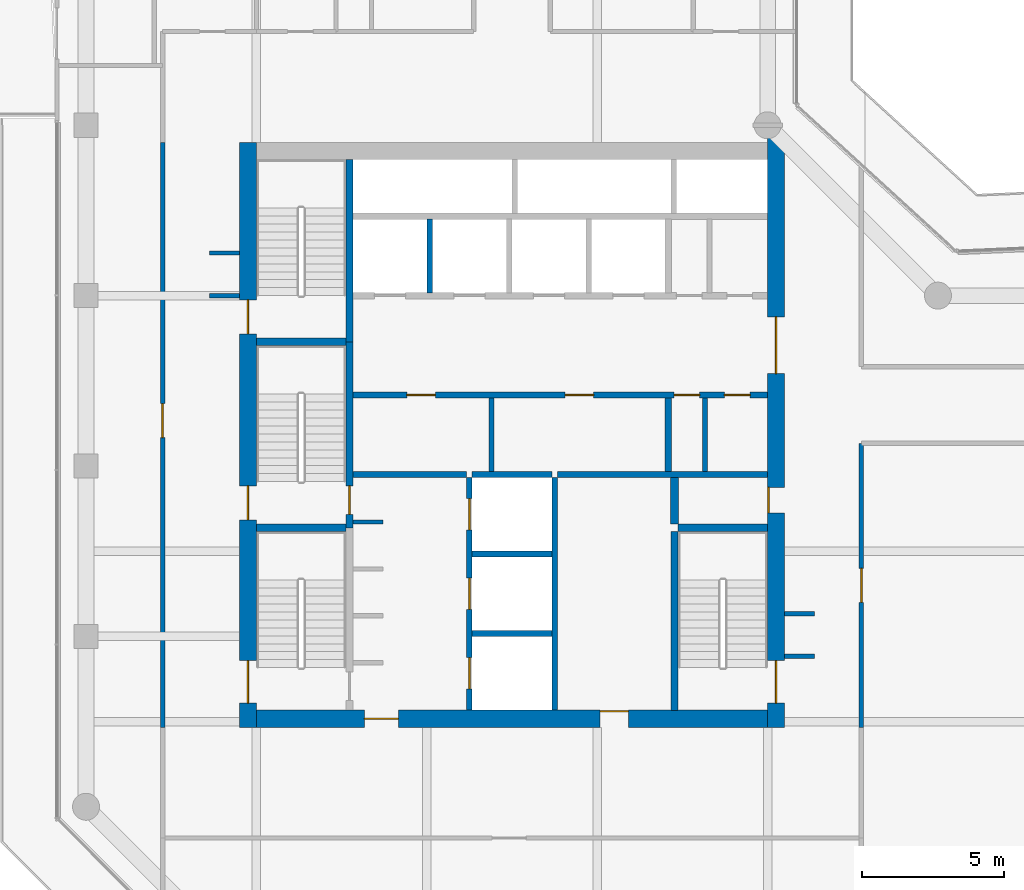
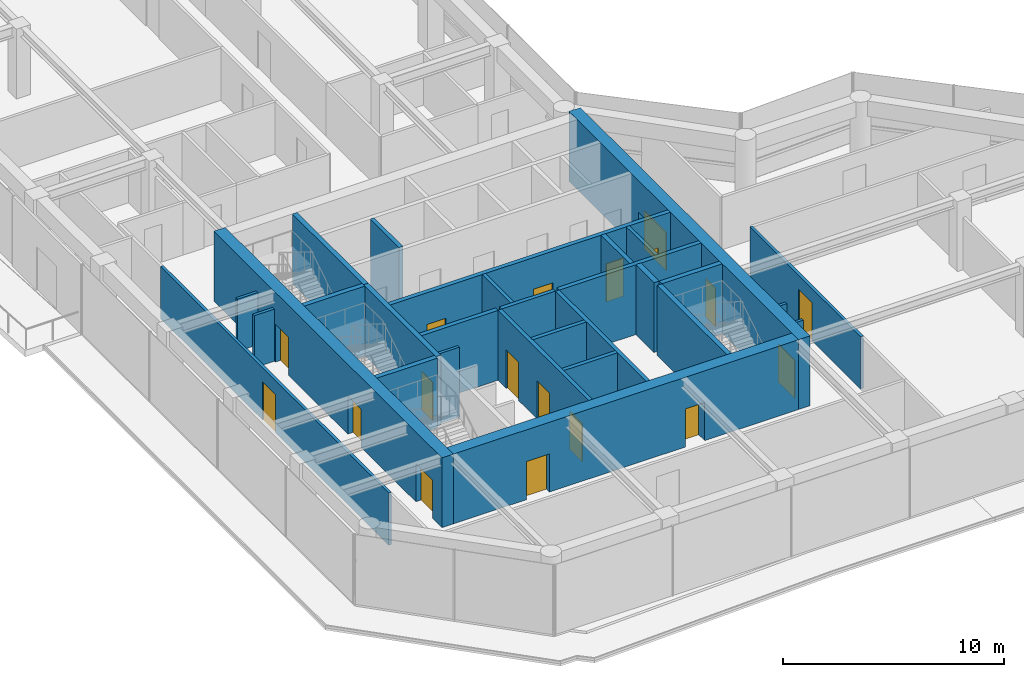
# One storey, part 17 of 21: 29 walls, 18 doors, 18 openings.
"""IFC4 building model written with IfcOpenShell, lengths in metres."""

from ifc_helpers import new_model, si_unit, direction, frame, frame_2d, origin, place, context, subcontext, project, spatial, rectangle, extrude, material, layer, layer_set, type_object, element, fill, save


model = new_model("IFC4")

# Units and contexts
model_context = context("Model", 3, precision=1e-05, world=origin(), true_north=direction((0.0, 1.0)))
body_context = subcontext(model_context, "Body", "Model", "MODEL_VIEW")
ifc_project = project(units=[si_unit("LENGTHUNIT", "METRE"), si_unit("AREAUNIT", "SQUARE_METRE"), si_unit("VOLUMEUNIT", "CUBIC_METRE"), si_unit("PLANEANGLEUNIT", "RADIAN"), si_unit("MASSUNIT", "GRAM", prefix="KILO")], contexts=[model_context])

# Site, building, storey
site_placement = place(None, origin())
site = spatial("IfcSite", under=ifc_project, at=site_placement, CompositionType="ELEMENT")
building_placement = place(site_placement, origin())
building = spatial("IfcBuilding", under=site, at=building_placement, Name="Welwitschia Terrace Campus", CompositionType="ELEMENT")
storey_placement = place(building_placement, frame((0.0, 0.0, 180.199951171875)))
storey = spatial("IfcBuildingStorey", under=building, at=storey_placement, Name="L40", CompositionType="ELEMENT", Elevation=180.199951171875)

# Walls
ifc_material_1 = material(Name="Concrete C32/40", Category="concrete")
ifc_layer_1 = layer(ifc_material_1, 0.175048828125)
ifc_layer_set_1 = layer_set([ifc_layer_1], Name="Concrete C32/40")
wall_type_1 = type_object("IfcWallType", Name="Core partition 175 Concrete C32/40", PredefinedType="PARTITIONING", material=ifc_layer_set_1)
for number, where, z_axis, x_axis, name in (
    (1, (14.27490234375, 13.800048828125, 0.0), (0.0, 0.0, 1.0), (0.0, 1.0, 0.0), "Core partition"),
    (2, (21.7900390625, 13.800048828125, 0.0), (0.0, 0.0, 1.0), (0.0, 1.0, 0.0), "Core partition"),
):
    element("IfcWall", number, at=place(storey_placement, frame(where, z_axis=z_axis, x_axis=x_axis)), inside=storey, type_object=wall_type_1, Name=name, PredefinedType="PARTITIONING", context=body_context, shape_type="SweptSolid", body=[
        extrude(rectangle(XDim=2.599853515625, YDim=0.175048828125, at=frame_2d((1.2998046875, 0.0))), origin(), (0.0, 0.0, 1.0), 3.85009765625),
    ])
ifc_material_2 = material(Name="Concrete C32/40", Category="concrete")
ifc_layer_2 = layer(ifc_material_2, 0.22509765625)
ifc_layer_set_2 = layer_set([ifc_layer_2], Name="Concrete C32/40")
wall_type_2 = type_object("IfcWallType", Name="Core partition 225 Concrete C32/40", PredefinedType="PARTITIONING", material=ifc_layer_set_2)
wall_1_placement = place(storey_placement, frame((9.39990234375, 13.699951171875, 0.0), z_axis=(0.0, 0.0, 1.0), x_axis=(1.0, 0.0, 0.0)))
element("IfcWall", 3, at=wall_1_placement, inside=storey, type_object=wall_type_2, Name="Core partition", PredefinedType="PARTITIONING", context=body_context, shape_type="SweptSolid", body=[
    extrude(rectangle(XDim=4.0, YDim=0.22509765625, at=frame_2d((2.0, 0.0))), origin(), (0.0, 0.0, 1.0), 3.85009765625),
])
wall_2_placement = place(storey_placement, frame((16.60009765625, 13.699951171875, 0.0), z_axis=(0.0, 0.0, 1.0), x_axis=(1.0, 0.0, 0.0)))
element("IfcWall", 4, at=wall_2_placement, inside=storey, type_object=wall_type_2, Name="Core partition", PredefinedType="PARTITIONING", context=body_context, shape_type="SweptSolid", body=[
    extrude(rectangle(XDim=7.39990234375, YDim=0.22509765625, at=frame_2d((3.699951171875, 0.0))), origin(), (0.0, 0.0, 1.0), 3.85009765625),
])

# Wall, openings, doors
wall_3_placement = place(storey_placement, frame((9.39990234375, 16.5, 0.0), z_axis=(0.0, 0.0, 1.0), x_axis=(1.0, 0.0, 0.0)))
wall_3 = element("IfcWall", 5, at=wall_3_placement, inside=storey, type_object=wall_type_2, Name="Core partition", PredefinedType="PARTITIONING", context=body_context, shape_type="SweptSolid", body=[
    extrude(rectangle(XDim=14.60009765625, YDim=0.22509765625, at=frame_2d((7.300048828125, 0.0))), origin(), (0.0, 0.0, 1.0), 3.85009765625),
])
opening_1_placement = place(wall_3_placement, frame((1.89990234375, 0.0, 0.0)))
opening_1 = element("IfcOpeningElement", 6, at=opening_1_placement, cuts=wall_3, Name="Opening DR10", PredefinedType="OPENING", context=body_context, shape_type="SweptSolid", body=[
    extrude(rectangle(XDim=1.0, YDim=2.10009765625, at=frame_2d((0.5, 1.050048828125))), frame((0.0, 0.12255859375, 0.0), z_axis=(0.0, -1.0, 0.0), x_axis=(1.0, 0.0, 0.0)), (0.0, 0.0, 1.0), 0.2451171875),
])
opening_2_placement = place(wall_3_placement, frame((7.47509765625, 0.0, 0.0)))
opening_2 = element("IfcOpeningElement", 7, at=opening_2_placement, cuts=wall_3, Name="Opening DR10", PredefinedType="OPENING", context=body_context, shape_type="SweptSolid", body=[
    extrude(rectangle(XDim=1.0, YDim=2.10009765625, at=frame_2d((0.5, 1.050048828125))), frame((0.0, 0.12255859375, 0.0), z_axis=(0.0, -1.0, 0.0), x_axis=(1.0, 0.0, 0.0)), (0.0, 0.0, 1.0), 0.2451171875),
])
opening_3_placement = place(wall_3_placement, frame((11.3076171875, 0.0, 0.0)))
opening_3 = element("IfcOpeningElement", 8, at=opening_3_placement, cuts=wall_3, Name="Opening DR09", PredefinedType="OPENING", context=body_context, shape_type="SweptSolid", body=[
    extrude(rectangle(XDim=0.89990234375, YDim=2.10009765625, at=frame_2d((0.449951171875, 1.050048828125))), frame((0.0, 0.12255859375, 0.0), z_axis=(0.0, -1.0, 0.0), x_axis=(1.0, 0.0, 0.0)), (0.0, 0.0, 1.0), 0.2451171875),
])
opening_4_placement = place(wall_3_placement, frame((13.08251953125, 0.0, 0.0)))
opening_4 = element("IfcOpeningElement", 9, at=opening_4_placement, cuts=wall_3, Name="Opening DR09", PredefinedType="OPENING", context=body_context, shape_type="SweptSolid", body=[
    extrude(rectangle(XDim=0.89990234375, YDim=2.10009765625, at=frame_2d((0.449951171875, 1.050048828125))), frame((0.0, 0.12255859375, 0.0), z_axis=(0.0, -1.0, 0.0), x_axis=(1.0, 0.0, 0.0)), (0.0, 0.0, 1.0), 0.2451171875),
])
ifc_material_3 = material(Name="Steel S275", Category="steel")
door_type_1 = type_object("IfcDoorType", Name="Core door DR09", OperationType="SINGLE_SWING_LEFT", PredefinedType="DOOR", material=ifc_material_3)
door_1_placement = place(opening_3_placement, origin())
door_1 = element("IfcDoor", 10, at=door_1_placement, inside=storey, type_object=door_type_1, Name="Door EL1-D", OperationType="SINGLE_SWING_RIGHT", OverallHeight=2.10009765625, OverallWidth=0.89990234375, PredefinedType="DOOR", context=body_context, shape_type="SweptSolid", body=[
    extrude(rectangle(XDim=0.89990234375, YDim=2.10009765625, at=frame_2d((0.449951171875, 1.050048828125))), frame((0.0, 0.02490234375, 0.0), z_axis=(0.0, -1.0, 0.0), x_axis=(1.0, 0.0, 0.0)), (0.0, 0.0, 1.0), 0.050048828125),
])
fill(opening_3, door_1)
door_2_placement = place(opening_4_placement, origin())
door_2 = element("IfcDoor", 11, at=door_2_placement, inside=storey, type_object=door_type_1, Name="Door EL2-D", OperationType="SINGLE_SWING_RIGHT", OverallHeight=2.10009765625, OverallWidth=0.89990234375, PredefinedType="DOOR", context=body_context, shape_type="SweptSolid", body=[
    extrude(rectangle(XDim=0.89990234375, YDim=2.10009765625, at=frame_2d((0.449951171875, 1.050048828125))), frame((0.0, 0.02490234375, 0.0), z_axis=(0.0, -1.0, 0.0), x_axis=(1.0, 0.0, 0.0)), (0.0, 0.0, 1.0), 0.050048828125),
])
fill(opening_4, door_2)
ifc_material_4 = material(Name="Steel S275", Category="steel")
door_type_2 = type_object("IfcDoorType", Name="Core door DR10", OperationType="SINGLE_SWING_LEFT", PredefinedType="DOOR", material=ifc_material_4)
door_3_placement = place(opening_1_placement, origin())
door_3 = element("IfcDoor", 12, at=door_3_placement, inside=storey, type_object=door_type_2, Name="Door BAYL1-D", OperationType="SINGLE_SWING_LEFT", OverallHeight=2.10009765625, OverallWidth=1.0, PredefinedType="DOOR", context=body_context, shape_type="SweptSolid", body=[
    extrude(rectangle(XDim=1.0, YDim=2.10009765625, at=frame_2d((0.5, 1.050048828125))), frame((0.0, 0.02490234375, 0.0), z_axis=(0.0, -1.0, 0.0), x_axis=(1.0, 0.0, 0.0)), (0.0, 0.0, 1.0), 0.050048828125),
])
fill(opening_1, door_3)
door_4_placement = place(opening_2_placement, origin())
door_4 = element("IfcDoor", 13, at=door_4_placement, inside=storey, type_object=door_type_2, Name="Door BAYL2-D", OperationType="SINGLE_SWING_RIGHT", OverallHeight=2.10009765625, OverallWidth=1.0, PredefinedType="DOOR", context=body_context, shape_type="SweptSolid", body=[
    extrude(rectangle(XDim=1.0, YDim=2.10009765625, at=frame_2d((0.5, 1.050048828125))), frame((0.0, 0.02490234375, 0.0), z_axis=(0.0, -1.0, 0.0), x_axis=(1.0, 0.0, 0.0)), (0.0, 0.0, 1.0), 0.050048828125),
])
fill(opening_2, door_4)

# Walls
wall_4_placement = place(storey_placement, frame((20.5, 13.800048828125, 0.0), z_axis=(0.0, 0.0, 1.0), x_axis=(0.0, 1.0, 0.0)))
element("IfcWall", 14, at=wall_4_placement, inside=storey, type_object=wall_type_2, Name="Core partition", PredefinedType="PARTITIONING", context=body_context, shape_type="SweptSolid", body=[
    extrude(rectangle(XDim=2.599853515625, YDim=0.22509765625, at=frame_2d((1.2998046875, 0.0))), origin(), (0.0, 0.0, 1.0), 3.85009765625),
])
ifc_material_5 = material(Name="Concrete C32/40", Category="concrete")
ifc_layer_3 = layer(ifc_material_5, 0.27490234375)
ifc_layer_set_3 = layer_set([ifc_layer_3], Name="Concrete C32/40")
wall_type_3 = type_object("IfcWallType", Name="Core partition 275 Concrete C32/40", PredefinedType="PARTITIONING", material=ifc_layer_set_3)
wall_5_placement = place(storey_placement, frame((20.72509765625, 11.949951171875, 0.0), z_axis=(0.0, 0.0, 1.0), x_axis=(0.0, 1.0, 0.0)))
element("IfcWall", 15, at=wall_5_placement, inside=storey, type_object=wall_type_3, Name="Core partition", PredefinedType="PARTITIONING", context=body_context, shape_type="SweptSolid", body=[
    extrude(rectangle(XDim=1.650146484375, YDim=0.27490234375, at=frame_2d((0.8251953125, 0.0))), origin(), (0.0, 0.0, 1.0), 3.85009765625),
])
ifc_material_6 = material(Name="Concrete C50/60", Category="concrete")
ifc_layer_4 = layer(ifc_material_6, 0.14990234375)
ifc_layer_set_4 = layer_set([ifc_layer_4], Name="Concrete C50/60")
wall_type_4 = type_object("IfcWallType", Name="Core wall 150 Concrete C50/60", PredefinedType="SHEAR", material=ifc_layer_set_4)
wall_6_placement = place(storey_placement, frame((9.39990234375, 12.02490234375, 0.0), z_axis=(0.0, 0.0, 1.0), x_axis=(1.0, 0.0, 0.0)))
element("IfcWall", 16, at=wall_6_placement, inside=storey, type_object=wall_type_4, Name="Core wall", PredefinedType="SHEAR", context=body_context, shape_type="SweptSolid", body=[
    extrude(rectangle(XDim=1.050048828125, YDim=0.14990234375, at=frame_2d((0.52490234375, 0.0))), origin(), (0.0, 0.0, 1.0), 3.85009765625),
])
ifc_material_7 = material(Name="Concrete C50/60", Category="concrete")
ifc_layer_5 = layer(ifc_material_7, 0.199951171875)
ifc_layer_set_5 = layer_set([ifc_layer_5], Name="Concrete C50/60")
wall_type_5 = type_object("IfcWallType", Name="Core wall 200 Concrete C50/60", PredefinedType="SHEAR", material=ifc_layer_set_5)
for number, where, z_axis, x_axis, name in (
    (17, (13.60009765625, 8.10009765625, 0.0), (0.0, 0.0, 1.0), (1.0, 0.0, 0.0), "Core wall"),
    (18, (13.60009765625, 10.89990234375, 0.0), (0.0, 0.0, 1.0), (1.0, 0.0, 0.0), "Core wall"),
    (19, (13.60009765625, 13.699951171875, 0.0), (0.0, 0.0, 1.0), (1.0, 0.0, 0.0), "Core wall"),
):
    element("IfcWall", number, at=place(storey_placement, frame(where, z_axis=z_axis, x_axis=x_axis)), inside=storey, type_object=wall_type_5, Name=name, PredefinedType="SHEAR", context=body_context, shape_type="SweptSolid", body=[
        extrude(rectangle(XDim=2.7998046875, YDim=0.199951171875, at=frame_2d((1.39990234375, 0.0))), origin(), (0.0, 0.0, 1.0), 3.85009765625),
    ])

# Wall, openings, doors
wall_7_placement = place(storey_placement, frame((13.5, 5.39990234375, 0.0), z_axis=(0.0, 0.0, 1.0), x_axis=(0.0, 1.0, 0.0)))
wall_7 = element("IfcWall", 20, at=wall_7_placement, inside=storey, type_object=wall_type_5, Name="Core wall", PredefinedType="SHEAR", context=body_context, shape_type="SweptSolid", body=[
    extrude(rectangle(XDim=8.2001953125, YDim=0.199951171875, at=frame_2d((4.10009765625, 0.0))), origin(), (0.0, 0.0, 1.0), 3.85009765625),
])
opening_5_placement = place(wall_7_placement, frame((0.75, 0.0, 0.0)))
opening_5 = element("IfcOpeningElement", 21, at=opening_5_placement, cuts=wall_7, Name="Opening LD", PredefinedType="OPENING", context=body_context, shape_type="SweptSolid", body=[
    extrude(rectangle(XDim=1.10009765625, YDim=2.10009765625, at=frame_2d((0.550048828125, 1.050048828125))), frame((0.0, 0.10986328125, 0.0), z_axis=(0.0, -1.0, 0.0), x_axis=(1.0, 0.0, 0.0)), (0.0, 0.0, 1.0), 0.219970703125),
])
opening_6_placement = place(wall_7_placement, frame((3.550048828125, 0.0, 0.0)))
opening_6 = element("IfcOpeningElement", 22, at=opening_6_placement, cuts=wall_7, Name="Opening LD", PredefinedType="OPENING", context=body_context, shape_type="SweptSolid", body=[
    extrude(rectangle(XDim=1.10009765625, YDim=2.10009765625, at=frame_2d((0.550048828125, 1.050048828125))), frame((0.0, 0.10986328125, 0.0), z_axis=(0.0, -1.0, 0.0), x_axis=(1.0, 0.0, 0.0)), (0.0, 0.0, 1.0), 0.219970703125),
])
opening_7_placement = place(wall_7_placement, frame((6.35009765625, 0.0, 0.0)))
opening_7 = element("IfcOpeningElement", 23, at=opening_7_placement, cuts=wall_7, Name="Opening LD", PredefinedType="OPENING", context=body_context, shape_type="SweptSolid", body=[
    extrude(rectangle(XDim=1.10009765625, YDim=2.10009765625, at=frame_2d((0.550048828125, 1.050048828125))), frame((0.0, 0.10986328125, 0.0), z_axis=(0.0, -1.0, 0.0), x_axis=(1.0, 0.0, 0.0)), (0.0, 0.0, 1.0), 0.219970703125),
])
ifc_material_8 = material(Name="Stainless steel 304", Category="steel")
door_type_3 = type_object("IfcDoorType", Name="Lift landing door", OperationType="DOUBLE_DOOR_SLIDING", PredefinedType="DOOR", material=ifc_material_8)
door_5_placement = place(opening_5_placement, origin())
door_5 = element("IfcDoor", 24, at=door_5_placement, inside=storey, type_object=door_type_3, Name="Landing door FF1", OperationType="DOUBLE_DOOR_SLIDING", OverallHeight=2.10009765625, OverallWidth=1.10009765625, PredefinedType="DOOR", context=body_context, shape_type="SweptSolid", body=[
    extrude(rectangle(XDim=1.10009765625, YDim=2.10009765625, at=frame_2d((0.550048828125, 1.050048828125))), frame((0.0, 0.02490234375, 0.0), z_axis=(0.0, -1.0, 0.0), x_axis=(1.0, 0.0, 0.0)), (0.0, 0.0, 1.0), 0.050048828125),
])
fill(opening_5, door_5)
door_6_placement = place(opening_6_placement, origin())
door_6 = element("IfcDoor", 25, at=door_6_placement, inside=storey, type_object=door_type_3, Name="Landing door FF2", OperationType="DOUBLE_DOOR_SLIDING", OverallHeight=2.10009765625, OverallWidth=1.10009765625, PredefinedType="DOOR", context=body_context, shape_type="SweptSolid", body=[
    extrude(rectangle(XDim=1.10009765625, YDim=2.10009765625, at=frame_2d((0.550048828125, 1.050048828125))), frame((0.0, 0.02490234375, 0.0), z_axis=(0.0, -1.0, 0.0), x_axis=(1.0, 0.0, 0.0)), (0.0, 0.0, 1.0), 0.050048828125),
])
fill(opening_6, door_6)
door_7_placement = place(opening_7_placement, origin())
door_7 = element("IfcDoor", 26, at=door_7_placement, inside=storey, type_object=door_type_3, Name="Landing door SV1", OperationType="DOUBLE_DOOR_SLIDING", OverallHeight=2.10009765625, OverallWidth=1.10009765625, PredefinedType="DOOR", context=body_context, shape_type="SweptSolid", body=[
    extrude(rectangle(XDim=1.10009765625, YDim=2.10009765625, at=frame_2d((0.550048828125, 1.050048828125))), frame((0.0, 0.02490234375, 0.0), z_axis=(0.0, -1.0, 0.0), x_axis=(1.0, 0.0, 0.0)), (0.0, 0.0, 1.0), 0.050048828125),
])
fill(opening_7, door_7)

# Walls
wall_8_placement = place(storey_placement, frame((16.5, 5.39990234375, 0.0), z_axis=(0.0, 0.0, 1.0), x_axis=(0.0, 1.0, 0.0)))
element("IfcWall", 27, at=wall_8_placement, inside=storey, type_object=wall_type_5, Name="Core wall", PredefinedType="SHEAR", context=body_context, shape_type="SweptSolid", body=[
    extrude(rectangle(XDim=8.2001953125, YDim=0.199951171875, at=frame_2d((4.10009765625, 0.0))), origin(), (0.0, 0.0, 1.0), 3.85009765625),
])
ifc_material_9 = material(Name="Concrete C50/60", Category="concrete")
ifc_layer_6 = layer(ifc_material_9, 0.25)
ifc_layer_set_6 = layer_set([ifc_layer_6], Name="Concrete C50/60")
wall_type_6 = type_object("IfcWallType", Name="Core wall 250 Concrete C50/60", PredefinedType="SHEAR", material=ifc_layer_set_6)
for number, where, z_axis, x_axis, name in (
    (28, (6.0, 11.824951171875, 0.0), (0.0, 0.0, 1.0), (1.0, 0.0, 0.0), "Core wall"),
    (29, (20.85009765625, 11.824951171875, 0.0), (0.0, 0.0, 1.0), (1.0, 0.0, 0.0), "Core wall"),
    (30, (6.0, 18.375, 0.0), (0.0, 0.0, 1.0), (1.0, 0.0, 0.0), "Core wall"),
):
    element("IfcWall", number, at=place(storey_placement, frame(where, z_axis=z_axis, x_axis=x_axis)), inside=storey, type_object=wall_type_6, Name=name, PredefinedType="SHEAR", context=body_context, shape_type="SweptSolid", body=[
        extrude(rectangle(XDim=3.14990234375, YDim=0.25, at=frame_2d((1.574951171875, 0.0))), origin(), (0.0, 0.0, 1.0), 3.85009765625),
    ])

# Wall, opening, door
wall_9_placement = place(storey_placement, frame((9.27490234375, 18.375, 0.0), z_axis=(0.0, 0.0, 1.0), x_axis=(0.0, -1.0, 0.0)))
wall_9 = element("IfcWall", 31, at=wall_9_placement, inside=storey, type_object=wall_type_6, Name="Core wall", PredefinedType="SHEAR", context=body_context, shape_type="SweptSolid", body=[
    extrude(rectangle(XDim=6.550048828125, YDim=0.25, at=frame_2d((3.27490234375, 0.0))), origin(), (0.0, 0.0, 1.0), 3.85009765625),
])
opening_8_placement = place(wall_9_placement, frame((5.074951171875, 0.0, 0.0)))
opening_8 = element("IfcOpeningElement", 32, at=opening_8_placement, cuts=wall_9, Name="Opening DS10", PredefinedType="OPENING", context=body_context, shape_type="SweptSolid", body=[
    extrude(rectangle(XDim=1.0, YDim=2.10009765625, at=frame_2d((0.5, 1.050048828125))), frame((0.0, 0.135009765625, 0.0), z_axis=(0.0, -1.0, 0.0), x_axis=(1.0, 0.0, 0.0)), (0.0, 0.0, 1.0), 0.27001953125),
])
ifc_material_10 = material(Name="Steel S275", Category="steel")
door_type_4 = type_object("IfcDoorType", Name="Core door DS10", OperationType="SINGLE_SWING_LEFT", PredefinedType="DOOR", material=ifc_material_10)
door_8_placement = place(opening_8_placement, origin())
door_8 = element("IfcDoor", 33, at=door_8_placement, inside=storey, type_object=door_type_4, Name="Door S3-FL", OperationType="SINGLE_SWING_RIGHT", OverallHeight=2.10009765625, OverallWidth=1.0, PredefinedType="DOOR", context=body_context, shape_type="SweptSolid", body=[
    extrude(rectangle(XDim=1.0, YDim=2.10009765625, at=frame_2d((0.5, 1.050048828125))), frame((0.0, 0.02490234375, 0.0), z_axis=(0.0, -1.0, 0.0), x_axis=(1.0, 0.0, 0.0)), (0.0, 0.0, 1.0), 0.050048828125),
])
fill(opening_8, door_8)

# Walls
wall_10_placement = place(storey_placement, frame((9.27490234375, 18.375, 0.0), z_axis=(0.0, 0.0, 1.0), x_axis=(0.0, 1.0, 0.0)))
element("IfcWall", 34, at=wall_10_placement, inside=storey, type_object=wall_type_6, Name="Core wall", PredefinedType="SHEAR", context=body_context, shape_type="SweptSolid", body=[
    extrude(rectangle(XDim=6.425048828125, YDim=0.25, at=frame_2d((3.21240234375, 0.0))), origin(), (0.0, 0.0, 1.0), 3.85009765625),
])
wall_11_placement = place(storey_placement, frame((20.72509765625, 5.39990234375, 0.0), z_axis=(0.0, 0.0, 1.0), x_axis=(0.0, 1.0, 0.0)))
element("IfcWall", 35, at=wall_11_placement, inside=storey, type_object=wall_type_6, Name="Core wall", PredefinedType="SHEAR", context=body_context, shape_type="SweptSolid", body=[
    extrude(rectangle(XDim=6.300048828125, YDim=0.25, at=frame_2d((3.14990234375, 0.0))), origin(), (0.0, 0.0, 1.0), 3.85009765625),
])

# Wall, openings, doors
ifc_material_11 = material(Name="Concrete C60/75", Category="concrete")
ifc_layer_7 = layer(ifc_material_11, 0.60009765625)
ifc_layer_set_7 = layer_set([ifc_layer_7], Name="Concrete C60/75")
wall_type_7 = type_object("IfcWallType", Name="Core wall 600 Concrete C60/75", PredefinedType="SHEAR", material=ifc_layer_set_7)
wall_12_placement = place(storey_placement, frame((5.699951171875, 4.800048828125, 0.0), z_axis=(0.0, 0.0, 1.0), x_axis=(0.0, 1.0, 0.0)))
wall_12 = element("IfcWall", 36, at=wall_12_placement, inside=storey, type_object=wall_type_7, Name="Core outer wall", PredefinedType="SHEAR", context=body_context, shape_type="SweptSolid", body=[
    extrude(rectangle(XDim=20.599853515625, YDim=0.60009765625, at=frame_2d((10.2998046875, 0.0))), origin(), (0.0, 0.0, 1.0), 3.85009765625),
])
opening_9_placement = place(wall_12_placement, frame((0.85009765625, 0.0, 0.0)))
opening_9 = element("IfcOpeningElement", 37, at=opening_9_placement, cuts=wall_12, Name="Opening DS15", PredefinedType="OPENING", context=body_context, shape_type="SweptSolid", body=[
    extrude(rectangle(XDim=1.5, YDim=2.10009765625, at=frame_2d((0.75, 1.050048828125))), frame((0.0, 0.31005859375, 0.0), z_axis=(0.0, -1.0, 0.0), x_axis=(1.0, 0.0, 0.0)), (0.0, 0.0, 1.0), 0.6201171875),
])
opening_10_placement = place(wall_12_placement, frame((7.300048828125, 0.0, 0.0)))
opening_10 = element("IfcOpeningElement", 38, at=opening_10_placement, cuts=wall_12, Name="Opening DS12", PredefinedType="OPENING", context=body_context, shape_type="SweptSolid", body=[
    extrude(rectangle(XDim=1.199951171875, YDim=2.10009765625, at=frame_2d((0.60009765625, 1.050048828125))), frame((0.0, 0.31005859375, 0.0), z_axis=(0.0, -1.0, 0.0), x_axis=(1.0, 0.0, 0.0)), (0.0, 0.0, 1.0), 0.6201171875),
])
opening_11_placement = place(wall_12_placement, frame((13.85009765625, 0.0, 0.0)))
opening_11 = element("IfcOpeningElement", 39, at=opening_11_placement, cuts=wall_12, Name="Opening DS12", PredefinedType="OPENING", context=body_context, shape_type="SweptSolid", body=[
    extrude(rectangle(XDim=1.199951171875, YDim=2.10009765625, at=frame_2d((0.60009765625, 1.050048828125))), frame((0.0, 0.31005859375, 0.0), z_axis=(0.0, -1.0, 0.0), x_axis=(1.0, 0.0, 0.0)), (0.0, 0.0, 1.0), 0.6201171875),
])
ifc_material_12 = material(Name="Steel S275", Category="steel")
door_type_5 = type_object("IfcDoorType", Name="Core door DS12", OperationType="SINGLE_SWING_LEFT", PredefinedType="DOOR", material=ifc_material_12)
door_9_placement = place(opening_10_placement, origin())
door_9 = element("IfcDoor", 40, at=door_9_placement, inside=storey, type_object=door_type_5, Name="Door S3-out", OperationType="SINGLE_SWING_LEFT", OverallHeight=2.10009765625, OverallWidth=1.199951171875, PredefinedType="DOOR", context=body_context, shape_type="SweptSolid", body=[
    extrude(rectangle(XDim=1.199951171875, YDim=2.10009765625, at=frame_2d((0.60009765625, 1.050048828125))), frame((0.0, 0.02490234375, 0.0), z_axis=(0.0, -1.0, 0.0), x_axis=(1.0, 0.0, 0.0)), (0.0, 0.0, 1.0), 0.050048828125),
])
fill(opening_10, door_9)
door_10_placement = place(opening_11_placement, origin())
door_10 = element("IfcDoor", 41, at=door_10_placement, inside=storey, type_object=door_type_5, Name="Door S4-out", OperationType="SINGLE_SWING_RIGHT", OverallHeight=2.10009765625, OverallWidth=1.199951171875, PredefinedType="DOOR", context=body_context, shape_type="SweptSolid", body=[
    extrude(rectangle(XDim=1.199951171875, YDim=2.10009765625, at=frame_2d((0.60009765625, 1.050048828125))), frame((0.0, 0.02490234375, 0.0), z_axis=(0.0, -1.0, 0.0), x_axis=(1.0, 0.0, 0.0)), (0.0, 0.0, 1.0), 0.050048828125),
])
fill(opening_11, door_10)
ifc_material_13 = material(Name="Steel S275", Category="steel")
door_type_6 = type_object("IfcDoorType", Name="Core door DS15", OperationType="DOUBLE_DOOR_SINGLE_SWING", PredefinedType="DOOR", material=ifc_material_13)
door_11_placement = place(opening_9_placement, origin())
door_11 = element("IfcDoor", 42, at=door_11_placement, inside=storey, type_object=door_type_6, Name="Door S1-out", OperationType="DOUBLE_DOOR_SINGLE_SWING", OverallHeight=2.10009765625, OverallWidth=1.5, PredefinedType="DOOR", context=body_context, shape_type="SweptSolid", body=[
    extrude(rectangle(XDim=1.5, YDim=2.10009765625, at=frame_2d((0.75, 1.050048828125))), frame((0.0, 0.02490234375, 0.0), z_axis=(0.0, -1.0, 0.0), x_axis=(1.0, 0.0, 0.0)), (0.0, 0.0, 1.0), 0.050048828125),
])
fill(opening_9, door_11)

wall_13_placement = place(storey_placement, frame((24.300048828125, 25.554931640625, 0.0), z_axis=(0.0, 0.0, 1.0), x_axis=(0.0, -1.0, 0.0)))
wall_13 = element("IfcWall", 43, at=wall_13_placement, inside=storey, type_object=wall_type_7, Name="Core outer wall", PredefinedType="SHEAR", context=body_context, shape_type="SweptSolid", body=[
    extrude(rectangle(XDim=20.7548828125, YDim=0.60009765625, at=frame_2d((10.37744140625, 0.0))), origin(), (0.0, 0.0, 1.0), 3.85009765625),
])
opening_12_placement = place(wall_13_placement, frame((18.405029296875, 0.0, 0.0)))
opening_12 = element("IfcOpeningElement", 44, at=opening_12_placement, cuts=wall_13, Name="Opening DS15", PredefinedType="OPENING", context=body_context, shape_type="SweptSolid", body=[
    extrude(rectangle(XDim=1.5, YDim=2.10009765625, at=frame_2d((0.75, 1.050048828125))), frame((0.0, 0.31005859375, 0.0), z_axis=(0.0, -1.0, 0.0), x_axis=(1.0, 0.0, 0.0)), (0.0, 0.0, 1.0), 0.6201171875),
])
opening_13_placement = place(wall_13_placement, frame((12.304931640625, 0.0, 0.0)))
opening_13 = element("IfcOpeningElement", 45, at=opening_13_placement, cuts=wall_13, Name="Opening DR09", PredefinedType="OPENING", context=body_context, shape_type="SweptSolid", body=[
    extrude(rectangle(XDim=0.89990234375, YDim=2.10009765625, at=frame_2d((0.449951171875, 1.050048828125))), frame((0.0, 0.31005859375, 0.0), z_axis=(0.0, -1.0, 0.0), x_axis=(1.0, 0.0, 0.0)), (0.0, 0.0, 1.0), 0.6201171875),
])
opening_14_placement = place(wall_13_placement, frame((6.304931640625, 0.0, 0.0)))
opening_14 = element("IfcOpeningElement", 46, at=opening_14_placement, cuts=wall_13, Name="Opening DL20", PredefinedType="OPENING", context=body_context, shape_type="SweptSolid", body=[
    extrude(rectangle(XDim=2.0, YDim=2.10009765625, at=frame_2d((1.0, 1.050048828125))), frame((0.0, 0.31005859375, 0.0), z_axis=(0.0, -1.0, 0.0), x_axis=(1.0, 0.0, 0.0)), (0.0, 0.0, 1.0), 0.6201171875),
])
ifc_material_14 = material(Name="Steel S275", Category="steel")
door_type_7 = type_object("IfcDoorType", Name="Core door DL20", OperationType="DOUBLE_DOOR_SINGLE_SWING", PredefinedType="DOOR", material=ifc_material_14)
door_12_placement = place(opening_14_placement, origin())
door_12 = element("IfcDoor", 47, at=door_12_placement, inside=storey, type_object=door_type_7, Name="Door LOBBY-out", OperationType="DOUBLE_DOOR_SINGLE_SWING", OverallHeight=2.10009765625, OverallWidth=2.0, PredefinedType="DOOR", context=body_context, shape_type="SweptSolid", body=[
    extrude(rectangle(XDim=2.0, YDim=2.10009765625, at=frame_2d((1.0, 1.050048828125))), frame((0.0, 0.02490234375, 0.0), z_axis=(0.0, -1.0, 0.0), x_axis=(1.0, 0.0, 0.0)), (0.0, 0.0, 1.0), 0.050048828125),
])
fill(opening_14, door_12)
door_13_placement = place(opening_13_placement, origin())
door_13 = element("IfcDoor", 48, at=door_13_placement, inside=storey, type_object=door_type_1, Name="Door F1B-out", OperationType="SINGLE_SWING_RIGHT", OverallHeight=2.10009765625, OverallWidth=0.89990234375, PredefinedType="DOOR", context=body_context, shape_type="SweptSolid", body=[
    extrude(rectangle(XDim=0.89990234375, YDim=2.10009765625, at=frame_2d((0.449951171875, 1.050048828125))), frame((0.0, -0.23974609375, 0.0), z_axis=(0.0, -1.0, 0.0), x_axis=(1.0, 0.0, 0.0)), (0.0, 0.0, 1.0), 0.050048828125),
])
fill(opening_13, door_13)
door_14_placement = place(opening_12_placement, origin())
door_14 = element("IfcDoor", 49, at=door_14_placement, inside=storey, type_object=door_type_6, Name="Door S2-out", OperationType="DOUBLE_DOOR_SINGLE_SWING", OverallHeight=2.10009765625, OverallWidth=1.5, PredefinedType="DOOR", context=body_context, shape_type="SweptSolid", body=[
    extrude(rectangle(XDim=1.5, YDim=2.10009765625, at=frame_2d((0.75, 1.050048828125))), frame((0.0, 0.02490234375, 0.0), z_axis=(0.0, -1.0, 0.0), x_axis=(1.0, 0.0, 0.0)), (0.0, 0.0, 1.0), 0.050048828125),
])
fill(opening_12, door_14)

wall_14_placement = place(storey_placement, frame((24.0, 5.10009765625, 0.0), z_axis=(0.0, 0.0, 1.0), x_axis=(-1.0, 0.0, 0.0)))
wall_14 = element("IfcWall", 50, at=wall_14_placement, inside=storey, type_object=wall_type_7, Name="Core outer wall", PredefinedType="SHEAR", context=body_context, shape_type="SweptSolid", body=[
    extrude(rectangle(XDim=18.0, YDim=0.60009765625, at=frame_2d((9.0, 0.0))), origin(), (0.0, 0.0, 1.0), 3.85009765625),
])
opening_15_placement = place(wall_14_placement, frame((13.0, 0.0, 0.0)))
opening_15 = element("IfcOpeningElement", 51, at=opening_15_placement, cuts=wall_14, Name="Opening DF12", PredefinedType="OPENING", context=body_context, shape_type="SweptSolid", body=[
    extrude(rectangle(XDim=1.199951171875, YDim=2.10009765625, at=frame_2d((0.60009765625, 1.050048828125))), frame((0.0, 0.31005859375, 0.0), z_axis=(0.0, -1.0, 0.0), x_axis=(1.0, 0.0, 0.0)), (0.0, 0.0, 1.0), 0.6201171875),
])
opening_16_placement = place(wall_14_placement, frame((4.89990234375, 0.0, 0.0)))
opening_16 = element("IfcOpeningElement", 52, at=opening_16_placement, cuts=wall_14, Name="Opening DR10", PredefinedType="OPENING", context=body_context, shape_type="SweptSolid", body=[
    extrude(rectangle(XDim=1.0, YDim=2.10009765625, at=frame_2d((0.5, 1.050048828125))), frame((0.0, 0.31005859375, 0.0), z_axis=(0.0, -1.0, 0.0), x_axis=(1.0, 0.0, 0.0)), (0.0, 0.0, 1.0), 0.6201171875),
])
ifc_material_15 = material(Name="Steel S275", Category="steel")
door_type_8 = type_object("IfcDoorType", Name="Core door DF12", OperationType="SINGLE_SWING_LEFT", PredefinedType="DOOR", material=ifc_material_15)
door_15_placement = place(opening_15_placement, origin())
door_15 = element("IfcDoor", 53, at=door_15_placement, inside=storey, type_object=door_type_8, Name="Door FL-out", OperationType="SINGLE_SWING_RIGHT", OverallHeight=2.10009765625, OverallWidth=1.199951171875, PredefinedType="DOOR", context=body_context, shape_type="SweptSolid", body=[
    extrude(rectangle(XDim=1.199951171875, YDim=2.10009765625, at=frame_2d((0.60009765625, 1.050048828125))), frame((0.0, 0.02490234375, 0.0), z_axis=(0.0, -1.0, 0.0), x_axis=(1.0, 0.0, 0.0)), (0.0, 0.0, 1.0), 0.050048828125),
])
fill(opening_15, door_15)
door_16_placement = place(opening_16_placement, origin())
door_16 = element("IfcDoor", 54, at=door_16_placement, inside=storey, type_object=door_type_2, Name="Door F1-out", OperationType="SINGLE_SWING_LEFT", OverallHeight=2.10009765625, OverallWidth=1.0, PredefinedType="DOOR", context=body_context, shape_type="SweptSolid", body=[
    extrude(rectangle(XDim=1.0, YDim=2.10009765625, at=frame_2d((0.5, 1.050048828125))), frame((0.0, -0.23974609375, 0.0), z_axis=(0.0, -1.0, 0.0), x_axis=(1.0, 0.0, 0.0)), (0.0, 0.0, 1.0), 0.050048828125),
])
fill(opening_16, door_16)

# Wall, opening, door
ifc_material_16 = material(Name="Gypsum board on steel studs", Category="steel")
ifc_layer_8 = layer(ifc_material_16, 0.14990234375)
ifc_layer_set_8 = layer_set([ifc_layer_8], Name="Gypsum board on steel studs")
wall_type_8 = type_object("IfcWallType", Name="Corridor partition 150 EI 30", PredefinedType="PARTITIONING", material=ifc_layer_set_8)
wall_15_placement = place(storey_placement, frame((2.699951171875, 4.800048828125, 0.0), z_axis=(0.0, 0.0, 1.0), x_axis=(0.0, 1.0, 0.0)))
wall_15 = element("IfcWall", 55, at=wall_15_placement, inside=storey, type_object=wall_type_8, Name="Partition", PredefinedType="PARTITIONING", context=body_context, shape_type="SweptSolid", body=[
    extrude(rectangle(XDim=20.599853515625, YDim=0.14990234375, at=frame_2d((10.2998046875, 0.0))), origin(), (0.0, 0.0, 1.0), 2.880126953125),
])
opening_17_placement = place(wall_15_placement, frame((10.199951171875, 0.0, 0.0)))
opening_17 = element("IfcOpeningElement", 56, at=opening_17_placement, cuts=wall_15, Name="Opening DI12", PredefinedType="OPENING", context=body_context, shape_type="SweptSolid", body=[
    extrude(rectangle(XDim=1.199951171875, YDim=2.10009765625, at=frame_2d((0.60009765625, 1.050048828125))), frame((0.0, 0.0849609375, 0.0), z_axis=(0.0, -1.0, 0.0), x_axis=(1.0, 0.0, 0.0)), (0.0, 0.0, 1.0), 0.169921875),
])
ifc_material_17 = material(Name="Timber veneered door", Category="wood")
door_type_9 = type_object("IfcDoorType", Name="Interior door DI12", OperationType="NOTDEFINED", PredefinedType="DOOR", material=ifc_material_17)
door_17_placement = place(opening_17_placement, origin())
door_17 = element("IfcDoor", 57, at=door_17_placement, inside=storey, type_object=door_type_9, Name="Door L40 792", OperationType="SINGLE_SWING_LEFT", OverallHeight=2.10009765625, OverallWidth=1.199951171875, PredefinedType="DOOR", context=body_context, shape_type="SweptSolid", body=[
    extrude(rectangle(XDim=1.199951171875, YDim=2.10009765625, at=frame_2d((0.60009765625, 1.050048828125))), frame((0.0, 0.02490234375, 0.0), z_axis=(0.0, -1.0, 0.0), x_axis=(1.0, 0.0, 0.0)), (0.0, 0.0, 1.0), 0.050048828125),
])
fill(opening_17, door_17)

# Walls
for number, where, z_axis, x_axis, name in (
    (58, (4.35009765625, 20.0, 0.0), (0.0, 0.0, 1.0), (1.0, 0.0, 0.0), "Partition"),
    (59, (4.35009765625, 21.5, 0.0), (0.0, 0.0, 1.0), (1.0, 0.0, 0.0), "Partition"),
    (60, (24.60009765625, 7.300048828125, 0.0), (0.0, 0.0, 1.0), (1.0, 0.0, 0.0), "Partition"),
    (61, (24.60009765625, 8.800048828125, 0.0), (0.0, 0.0, 1.0), (1.0, 0.0, 0.0), "Partition"),
):
    element("IfcWall", number, at=place(storey_placement, frame(where, z_axis=z_axis, x_axis=x_axis)), inside=storey, type_object=wall_type_8, Name=name, PredefinedType="PARTITIONING", context=body_context, shape_type="SweptSolid", body=[
        extrude(rectangle(XDim=1.0498046875, YDim=0.14990234375, at=frame_2d((0.52490234375, 0.0))), origin(), (0.0, 0.0, 1.0), 2.880126953125),
    ])

# Wall, opening, door
wall_16_placement = place(storey_placement, frame((27.300048828125, 4.800048828125, 0.0), z_axis=(0.0, 0.0, 1.0), x_axis=(0.0, 1.0, 0.0)))
wall_16 = element("IfcWall", 62, at=wall_16_placement, inside=storey, type_object=wall_type_8, Name="Partition", PredefinedType="PARTITIONING", context=body_context, shape_type="SweptSolid", body=[
    extrude(rectangle(XDim=10.0, YDim=0.14990234375, at=frame_2d((5.0, 0.0))), origin(), (0.0, 0.0, 1.0), 2.880126953125),
])
opening_18_placement = place(wall_16_placement, frame((4.39990234375, 0.0, 0.0)))
opening_18 = element("IfcOpeningElement", 63, at=opening_18_placement, cuts=wall_16, Name="Opening DI12", PredefinedType="OPENING", context=body_context, shape_type="SweptSolid", body=[
    extrude(rectangle(XDim=1.199951171875, YDim=2.10009765625, at=frame_2d((0.60009765625, 1.050048828125))), frame((0.0, 0.0849609375, 0.0), z_axis=(0.0, -1.0, 0.0), x_axis=(1.0, 0.0, 0.0)), (0.0, 0.0, 1.0), 0.169921875),
])
door_18_placement = place(opening_18_placement, origin())
door_18 = element("IfcDoor", 64, at=door_18_placement, inside=storey, type_object=door_type_9, Name="Door L40 806", OperationType="SINGLE_SWING_LEFT", OverallHeight=2.10009765625, OverallWidth=1.199951171875, PredefinedType="DOOR", context=body_context, shape_type="SweptSolid", body=[
    extrude(rectangle(XDim=1.199951171875, YDim=2.10009765625, at=frame_2d((0.60009765625, 1.050048828125))), frame((0.0, 0.02490234375, 0.0), z_axis=(0.0, -1.0, 0.0), x_axis=(1.0, 0.0, 0.0)), (0.0, 0.0, 1.0), 0.050048828125),
])
fill(opening_18, door_18)

# Wall
ifc_material_18 = material(Name="Concrete C32/40", Category="concrete")
ifc_layer_9 = layer(ifc_material_18, 0.199951171875)
ifc_layer_set_9 = layer_set([ifc_layer_9], Name="Concrete C32/40")
wall_type_9 = type_object("IfcWallType", Name="Shaft wall 200 Concrete C32/40", PredefinedType="SOLIDWALL", material=ifc_layer_set_9)
wall_17_placement = place(storey_placement, frame((12.10009765625, 20.10009765625, 0.0), z_axis=(0.0, 0.0, 1.0), x_axis=(0.0, 1.0, 0.0)))
element("IfcWall", 65, at=wall_17_placement, inside=storey, type_object=wall_type_9, Name="Shaft wall", PredefinedType="SOLIDWALL", context=body_context, shape_type="SweptSolid", body=[
    extrude(rectangle(XDim=2.599853515625, YDim=0.199951171875, at=frame_2d((1.2998046875, 0.0))), origin(), (0.0, 0.0, 1.0), 3.85009765625),
])

save(model, "model.ifc")
